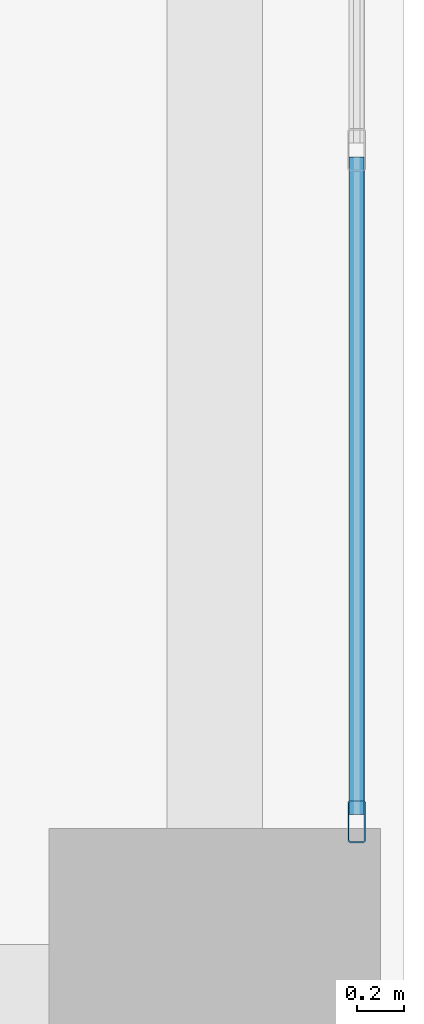
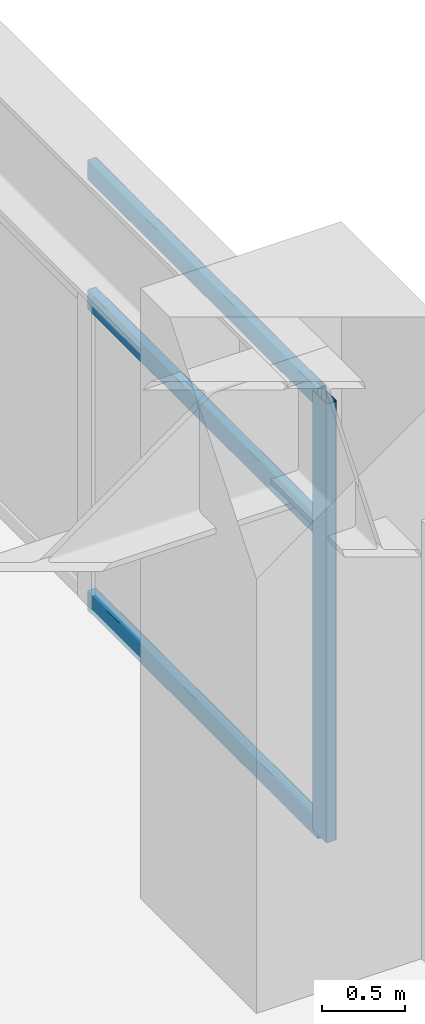
# One storey, part 13 of 28: 4 members, 1 element without a shape of its own.
"""IFC4 building model written with IfcOpenShell, lengths in metres."""

from ifc_helpers import new_model, si_unit, direction, frame, origin, origin_2d, place, context, subcontext, project, spatial, hollow_rectangle, extrude, material, layer, layer_set, material_profile, profile_set, type_object, element, aggregate, save


model = new_model("IFC4")

# Units and contexts
model_context = context("Model", 3, precision=1e-05, world=origin(), true_north=direction((0.0, 1.0)))
body_context = subcontext(model_context, "Body", "Model", "MODEL_VIEW")
ifc_project = project(units=[si_unit("LENGTHUNIT", "METRE"), si_unit("AREAUNIT", "SQUARE_METRE"), si_unit("VOLUMEUNIT", "CUBIC_METRE"), si_unit("PLANEANGLEUNIT", "RADIAN"), si_unit("MASSUNIT", "GRAM", prefix="KILO")], contexts=[model_context])

# Site, building, storey
site_placement = place(None, origin())
site = spatial("IfcSite", under=ifc_project, at=site_placement, CompositionType="ELEMENT")
building_placement = place(site_placement, origin())
building = spatial("IfcBuilding", under=site, at=building_placement, Name="Soratama Intermodal Tower", CompositionType="ELEMENT")
storey_placement = place(building_placement, frame((0.0, 0.0, 16.199951171875)))
storey = spatial("IfcBuildingStorey", under=building, at=storey_placement, Name="L03", CompositionType="ELEMENT", Elevation=16.199951171875)

# Curtain wall, members
ifc_material_1 = material(Name="Double-glazed aluminium curtain wall", Category="aluminium")
ifc_layer = layer(ifc_material_1, 0.159912109375)
ifc_layer_set = layer_set([ifc_layer], Name="Double-glazed aluminium curtain wall")
curtain_wall_type = type_object("IfcCurtainWallType", Name="CW-SYS-1", PredefinedType="NOTDEFINED", material=ifc_layer_set)
curtain_wall_placement = place(storey_placement, origin())
curtain_wall = element("IfcCurtainWall", 1, at=curtain_wall_placement, inside=storey, type_object=curtain_wall_type, Name="L03 Station Curtain Wall E1", PredefinedType="NOTDEFINED")
ifc_material_2 = material(Name="Anodised aluminium AA 6063-T6", Category="aluminium")
ifc_material_profile_1 = material_profile(ifc_material_2, hollow_rectangle(XDim=0.074951171875, YDim=0.179931640625, WallThickness=0.006103515625, InnerFilletRadius=0.006103515625, OuterFilletRadius=0.011962890625, at=origin_2d()), Name="CWM180X75X6")
ifc_profile_set_1 = profile_set([ifc_material_profile_1], Name="Anodised aluminium AA 6063-T6")
member_type_1 = type_object("IfcMemberType", Name="MT-CWM-1", PredefinedType="MULLION", material=ifc_profile_set_1)
member_1_placement = place(storey_placement, frame((83.800048828125, 15.72998046875, 0.0), z_axis=(0.0, 0.0, 1.0), x_axis=(-1.0, 0.0, 0.0)))
member_1 = element("IfcMember", 2, at=member_1_placement, type_object=member_type_1, Name="CW-1 mullion 1", PredefinedType="MULLION", context=body_context, shape_type="SweptSolid", body=[
    extrude(hollow_rectangle(XDim=0.074951171875, YDim=0.179931640625, WallThickness=0.006103515625, InnerFilletRadius=0.006103515625, OuterFilletRadius=0.011962890625, at=origin_2d()), origin(), (0.0, 0.0, 1.0), 3.236083984375),
])
ifc_material_3 = material(Name="Anodised aluminium AA 6063-T6", Category="aluminium")
ifc_material_profile_2 = material_profile(ifc_material_3, hollow_rectangle(XDim=0.06494140625, YDim=0.14990234375, WallThickness=0.0048828125, InnerFilletRadius=0.0048828125, OuterFilletRadius=0.010009765625, at=origin_2d()), Name="CWT150X65X5")
ifc_profile_set_2 = profile_set([ifc_material_profile_2], Name="Anodised aluminium AA 6063-T6")
member_type_2 = type_object("IfcMemberType", Name="TT-CWT-1", PredefinedType="USERDEFINED", material=ifc_profile_set_2)
member_2_placement = place(storey_placement, frame((83.800048828125, 15.760009765625, 0.030029296875), z_axis=(0.0, 1.0, 0.0), x_axis=(-1.0, 0.0, 0.0)))
member_2 = element("IfcMember", 3, at=member_2_placement, type_object=member_type_2, Name="CW-1 transom 1.1", ObjectType="TRANSOM", PredefinedType="USERDEFINED", context=body_context, shape_type="SweptSolid", body=[
    extrude(hollow_rectangle(XDim=0.06494140625, YDim=0.14990234375, WallThickness=0.0048828125, InnerFilletRadius=0.0048828125, OuterFilletRadius=0.010009765625, at=origin_2d()), origin(), (0.0, 0.0, 1.0), 2.776611328125),
])
member_3_placement = place(storey_placement, frame((83.800048828125, 15.760009765625, 2.25), z_axis=(0.0, 1.0, 0.0), x_axis=(-1.0, 0.0, 0.0)))
member_3 = element("IfcMember", 4, at=member_3_placement, type_object=member_type_2, Name="CW-1 transom 1.2", ObjectType="TRANSOM", PredefinedType="USERDEFINED", context=body_context, shape_type="SweptSolid", body=[
    extrude(hollow_rectangle(XDim=0.06494140625, YDim=0.14990234375, WallThickness=0.0048828125, InnerFilletRadius=0.0048828125, OuterFilletRadius=0.010009765625, at=origin_2d()), origin(), (0.0, 0.0, 1.0), 2.776611328125),
])
member_4_placement = place(storey_placement, frame((83.800048828125, 15.760009765625, 3.2060546875), z_axis=(0.0, 1.0, 0.0), x_axis=(-1.0, 0.0, 0.0)))
member_4 = element("IfcMember", 5, at=member_4_placement, type_object=member_type_2, Name="CW-1 transom 1.3", ObjectType="TRANSOM", PredefinedType="USERDEFINED", context=body_context, shape_type="SweptSolid", body=[
    extrude(hollow_rectangle(XDim=0.06494140625, YDim=0.14990234375, WallThickness=0.0048828125, InnerFilletRadius=0.0048828125, OuterFilletRadius=0.010009765625, at=origin_2d()), origin(), (0.0, 0.0, 1.0), 2.776611328125),
])
aggregate(curtain_wall, [member_1, member_2, member_3, member_4])

save(model, "model.ifc")
